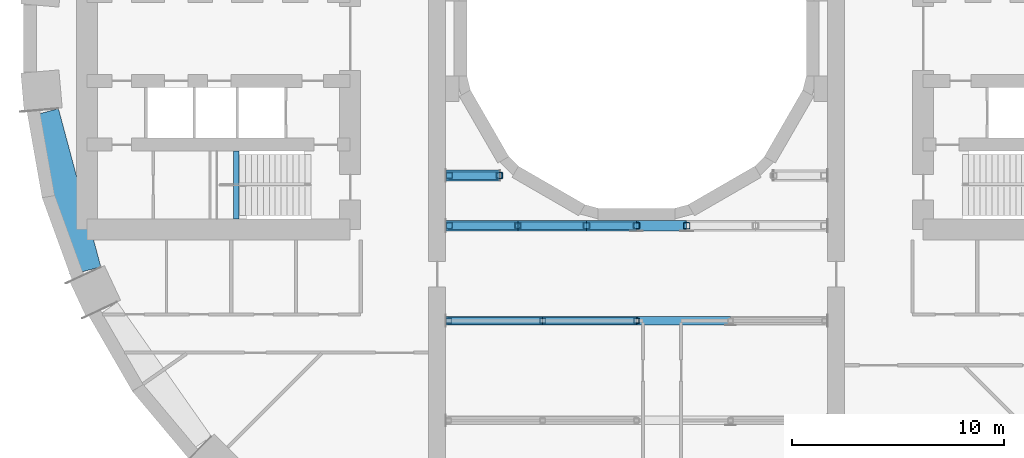
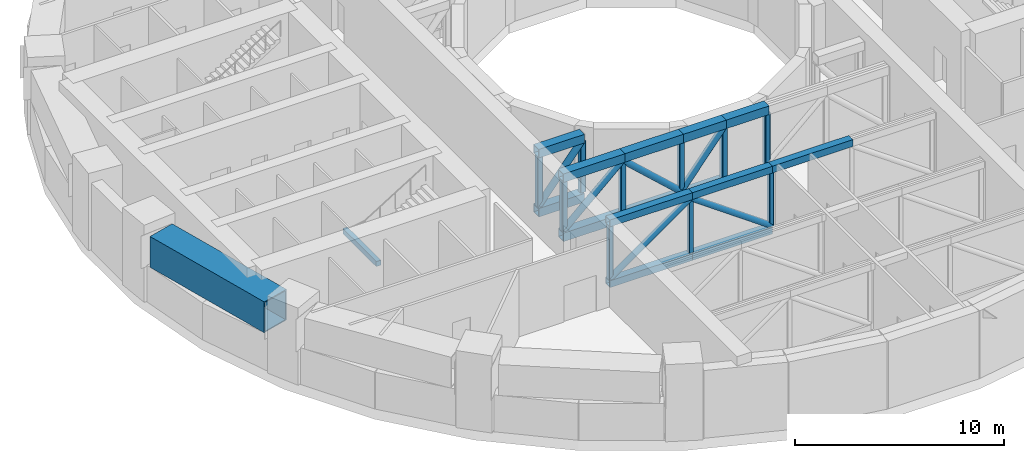
# One storey, part 3 of 21: 30 members, 2 beams.
"""IFC4 building model written with IfcOpenShell, lengths in metres."""

import ifcopenshell
import ifcopenshell.guid

model = None  # the IFC model being written
_history = None  # IfcOwnerHistory: only IFC2X3 demands one
_inside = {}  # id of a spatial element -> (the spatial element, [elements in it])
_under = {}  # id of a project, library or spatial element -> (it, [spatial elements below it])
_declared = {}  # id of a project -> (the project, [libraries it declares])
_typed = {}  # id of a type object -> (the type object, [elements of that type])
_made_of = {}  # id of a material, layer set ... -> (it, [elements and type objects made of it])


def new_model(schema):
    """Start an empty IFC model of exactly this schema.

    Asked for "IFC4X3", IfcOpenShell would pick the latest addendum, in which some entities
    have other attributes; the version numbers below select the first issue.
    IFC2X3 requires an IfcOwnerHistory on every rooted entity: one is made here for all.
    """
    global model, _history
    if schema == "IFC4X3":
        model = ifcopenshell.file(schema_version=(4, 3, 0, 0))
    else:
        model = ifcopenshell.file(schema=schema)
    _inside.clear()
    _under.clear()
    _declared.clear()
    _typed.clear()
    _made_of.clear()
    _history = None
    if model.schema == "IFC2X3":
        org = make("IfcOrganization", Name="unknown")
        user = make(
            "IfcPersonAndOrganization",
            ThePerson=make("IfcPerson", FamilyName="unknown"),
            TheOrganization=org,
        )
        app = make(
            "IfcApplication",
            ApplicationDeveloper=org,
            Version="unknown",
            ApplicationFullName="unknown",
            ApplicationIdentifier="unknown",
        )
        _history = make(
            "IfcOwnerHistory",
            OwningUser=user,
            OwningApplication=app,
            ChangeAction="ADDED",
            CreationDate=0,
        )
    return model


def make(cls, **values):
    """One entity of the class cls with the attributes given. An attribute that is None is left unset."""
    return model.create_entity(
        cls, **{name: value for name, value in values.items() if value is not None}
    )


def rooted(cls, **values):
    """An entity with a GlobalId (a new one), such as an element, a storey or a relation."""
    return make(cls, GlobalId=ifcopenshell.guid.new(), OwnerHistory=_history, **values)


def si_unit(unit_type, name, prefix=None):
    """IfcSIUnit, for example si_unit("LENGTHUNIT", "METRE", prefix="MILLI")."""
    return make("IfcSIUnit", UnitType=unit_type, Prefix=prefix, Name=name)


def assignment(units):
    """IfcUnitAssignment: the units of a project."""
    return None if units is None else make("IfcUnitAssignment", Units=units)


def point(xyz):
    """IfcCartesianPoint."""
    return None if xyz is None else make("IfcCartesianPoint", Coordinates=xyz)


def direction(xyz):
    """IfcDirection."""
    return None if xyz is None else make("IfcDirection", DirectionRatios=xyz)


def frame(location, z_axis=None, x_axis=None):
    """IfcAxis2Placement3D, a coordinate frame: its origin and axes. An axis left out is left unset."""
    return make(
        "IfcAxis2Placement3D",
        Location=point(location),
        Axis=direction(z_axis),
        RefDirection=direction(x_axis),
    )


def frame_2d(location, x_axis=None):
    """IfcAxis2Placement2D, a coordinate frame in the plane: its origin and x axis."""
    return make(
        "IfcAxis2Placement2D", Location=point(location), RefDirection=direction(x_axis)
    )


def origin():
    """The frame at (0, 0, 0) with its axes left unset."""
    return frame((0.0, 0.0, 0.0))


def origin_2d():
    """The frame at (0, 0) in the plane with its x axis left unset."""
    return frame_2d((0.0, 0.0))


def place(relative_to, where):
    """IfcLocalPlacement: puts the frame where relative to a parent placement (None: the world)."""
    return make(
        "IfcLocalPlacement", PlacementRelTo=relative_to, RelativePlacement=where
    )


def context(
    kind, dimensions, precision=None, world=None, true_north=None, identifier=None
):
    """IfcGeometricRepresentationContext, for example the 3D "Model" context."""
    return make(
        "IfcGeometricRepresentationContext",
        ContextIdentifier=identifier,
        ContextType=kind,
        CoordinateSpaceDimension=dimensions,
        Precision=precision,
        WorldCoordinateSystem=world,
        TrueNorth=true_north,
    )


def subcontext(parent, identifier, kind, view, scale=None):
    """IfcGeometricRepresentationSubContext, for example "Body" below "Model"."""
    return make(
        "IfcGeometricRepresentationSubContext",
        ContextIdentifier=identifier,
        ContextType=kind,
        ParentContext=parent,
        TargetScale=scale,
        TargetView=view,
    )


def project(units=None, contexts=None):
    """IfcProject with its units and contexts."""
    return rooted(
        "IfcProject",
        Name="project",
        RepresentationContexts=contexts,
        UnitsInContext=assignment(units),
    )


def spatial(cls, under=None, at=None, **own):
    """A site, building, storey or space (cls), placed at a placement, below another one or the project."""
    s = rooted(cls, ObjectPlacement=at, **own)
    if under is not None:
        _under.setdefault(under.id(), (under, []))[1].append(s)
    return s


def profile(cls, at=None, kind="AREA", **sizes):
    """A parametric profile (cls). Its sizes go by their IFC names, for example OverallWidth=200.0."""
    return make(cls, ProfileType=kind, Position=at, **sizes)


def rectangle(**sizes):
    """IfcRectangleProfileDef."""
    return profile("IfcRectangleProfileDef", **sizes)


def hollow_rectangle(**sizes):
    """IfcRectangleHollowProfileDef."""
    return profile("IfcRectangleHollowProfileDef", **sizes)


def hollow_circle(**sizes):
    """IfcCircleHollowProfileDef."""
    return profile("IfcCircleHollowProfileDef", **sizes)


def extrude(swept, where, along, depth):
    """IfcExtrudedAreaSolid: the profile swept, set in the frame where, extruded along a direction by depth."""
    return make(
        "IfcExtrudedAreaSolid",
        SweptArea=swept,
        Position=where,
        ExtrudedDirection=direction(along),
        Depth=depth,
    )


def shape(context_of_items, identifier, shape_type, items):
    """IfcShapeRepresentation: the items that make up one representation, for example the "Body"."""
    return make(
        "IfcShapeRepresentation",
        ContextOfItems=context_of_items,
        RepresentationIdentifier=identifier,
        RepresentationType=shape_type,
        Items=items,
    )


def material(Name=None, Category=None):
    """IfcMaterial."""
    return make("IfcMaterial", Name=Name, Category=Category)


def material_profile(
    of_material, cross_section, Name=None, Category=None, Priority=None
):
    """IfcMaterialProfile: a cross section and its material."""
    return make(
        "IfcMaterialProfile",
        Name=Name,
        Material=of_material,
        Profile=cross_section,
        Priority=Priority,
        Category=Category,
    )


def profile_set(profiles, Name=None, composite=None):
    """IfcMaterialProfileSet."""
    return make(
        "IfcMaterialProfileSet",
        Name=Name,
        MaterialProfiles=profiles,
        CompositeProfile=composite,
    )


def made_of(thing, what):
    """Note that an element or type object is made of a material, layer set ...; save() writes the relation."""
    if what is not None:
        _made_of.setdefault(what.id(), (what, []))[1].append(thing)
    return thing


def type_object(cls, material=None, **own):
    """A type object (cls), such as IfcWallType, which elements share."""
    return made_of(rooted(cls, **own), material)


def element(
    cls,
    number,
    at=None,
    inside=None,
    cuts=None,
    type_object=None,
    material=None,
    context=None,
    identifier="Body",
    shape_type=None,
    held_by="IfcProductDefinitionShape",
    body=None,
    shapes=None,
    **own,
):
    """One element of the class cls, such as IfcWall. Its Tag is "e" and its number.

    at: its placement. inside: the storey or other place that contains it. cuts: it is an
    opening in that element (IfcRelVoidsElement). A single representation is given by context,
    identifier, shape_type and body (its items); several are given by shapes. held_by: the class
    of the entity that holds the representations. save() writes the other relations.
    """
    e = rooted(cls, Tag="e%d" % number, ObjectPlacement=at, **own)
    if body is not None:
        shapes = [shape(context, identifier, shape_type, body)]
    if shapes is not None:
        e.Representation = make(held_by, Representations=shapes)
    if inside is not None:
        _inside.setdefault(inside.id(), (inside, []))[1].append(e)
    if cuts is not None:
        rooted(
            "IfcRelVoidsElement", RelatingBuildingElement=cuts, RelatedOpeningElement=e
        )
    if type_object is not None:
        _typed.setdefault(type_object.id(), (type_object, []))[1].append(e)
    return made_of(e, material)


def aggregate(whole, parts):
    """IfcRelAggregates: a whole, such as a stair, and the parts it consists of."""
    return rooted("IfcRelAggregates", RelatingObject=whole, RelatedObjects=parts)


def save(model, path):
    """Write the relations noted so far, then the file.

    IfcRelAggregates (storeys below a building ...), IfcRelContainedInSpatialStructure (elements
    in a storey), IfcRelDefinesByType, IfcRelAssociatesMaterial and IfcRelDeclares: one each for
    every whole, place, type object, material and project.
    """
    for whole, parts in _under.values():
        aggregate(whole, parts)
    for where, things in _inside.values():
        rooted(
            "IfcRelContainedInSpatialStructure",
            RelatedElements=things,
            RelatingStructure=where,
        )
    for kind, things in _typed.values():
        rooted("IfcRelDefinesByType", RelatedObjects=things, RelatingType=kind)
    for what, things in _made_of.values():
        rooted("IfcRelAssociatesMaterial", RelatedObjects=things, RelatingMaterial=what)
    for by, libraries in _declared.values():
        rooted("IfcRelDeclares", RelatingContext=by, RelatedDefinitions=libraries)
    model.write(path)


model = new_model("IFC4")

# Units and contexts
model_context = context("Model", 3, precision=1e-05, world=origin(), true_north=direction((0.0, 1.0)))
body_context = subcontext(model_context, "Body", "Model", "MODEL_VIEW")
ifc_project = project(units=[si_unit("LENGTHUNIT", "METRE"), si_unit("AREAUNIT", "SQUARE_METRE"), si_unit("VOLUMEUNIT", "CUBIC_METRE"), si_unit("PLANEANGLEUNIT", "RADIAN"), si_unit("MASSUNIT", "GRAM", prefix="KILO")], contexts=[model_context])

# Site, building, storey
site_placement = place(None, origin())
site = spatial("IfcSite", under=ifc_project, at=site_placement, CompositionType="ELEMENT")
building_placement = place(site_placement, origin())
building = spatial("IfcBuilding", under=site, at=building_placement, Name="Saqina Gate Tower", CompositionType="ELEMENT")
storey_placement = place(building_placement, frame((0.0, 0.0, 21.800048828125)))
storey = spatial("IfcBuildingStorey", under=building, at=storey_placement, Name="L05", CompositionType="ELEMENT", Elevation=21.800048828125)

# Beams
ifc_material_1 = material(Name="Concrete C40/50", Category="concrete")
ifc_material_profile_1 = material_profile(ifc_material_1, rectangle(XDim=0.25, YDim=0.300048828125, at=origin_2d()), Name="STAIR LANDING BEAM")
ifc_profile_set_1 = profile_set([ifc_material_profile_1], Name="Concrete C40/50")
beam_type_1 = type_object("IfcBeamType", Name="STAIR LANDING BEAM", PredefinedType="BEAM", material=ifc_profile_set_1)
beam_1_placement = place(storey_placement, frame((-18.860107421875, -8.5, 1.849853515625), z_axis=(0.0, 1.0, 0.0), x_axis=(-1.0, 0.0, 0.0)))
element("IfcBeam", 1, at=beam_1_placement, inside=storey, type_object=beam_type_1, Name="EXIT STAIR 4 LANDING BEAM", PredefinedType="BEAM", context=body_context, shape_type="SweptSolid", body=[
    extrude(rectangle(XDim=0.25, YDim=0.300048828125, at=origin_2d()), origin(), (0.0, 0.0, 1.0), 3.199951171875),
])
ifc_material_2 = material(Name="Steel S460", Category="steel")
ifc_material_profile_2 = material_profile(ifc_material_2, hollow_rectangle(XDim=1.5, YDim=1.800048828125, WallThickness=0.06005859375, at=origin_2d()), Name="BOX 1500x1800x60")
ifc_profile_set_2 = profile_set([ifc_material_profile_2], Name="Steel S460")
beam_type_2 = type_object("IfcBeamType", Name="STR-PODIUM TRANSFER GIRDER-BOX 1500x1800x60", PredefinedType="BEAM", material=ifc_profile_set_2)
beam_2_placement = place(storey_placement, frame((-27.9697265625, -3.499267578125, 3.050048828125), z_axis=(0.258816195874, -0.965926589733, 0.0), x_axis=(0.965926589733, 0.258816195874, 0.0)))
element("IfcBeam", 2, at=beam_2_placement, inside=storey, type_object=beam_type_2, Name="PODIUM TRANSFER GIRDER 07", PredefinedType="BEAM", context=body_context, shape_type="SweptSolid", body=[
    extrude(hollow_rectangle(XDim=1.5, YDim=1.800048828125, WallThickness=0.06005859375, at=origin_2d()), origin(), (0.0, 0.0, 1.0), 7.718017578125),
])

# Members
ifc_material_3 = material(Name="Steel S460", Category="steel")
ifc_material_profile_3 = material_profile(ifc_material_3, hollow_rectangle(XDim=0.39990234375, YDim=0.39990234375, WallThickness=0.030029296875, at=origin_2d()), Name="BOX 400x400x30")
ifc_profile_set_3 = profile_set([ifc_material_profile_3], Name="Steel S460")
member_type_1 = type_object("IfcMemberType", Name="STR-TRANSFER TRUSS CHORD-BOX 400x400x30", PredefinedType="CHORD", material=ifc_profile_set_3)
for number, where, z_axis, x_axis, name in (
    (3, (-8.98193359375, -13.300048828125, 0.199951171875), (1.0, 0.0, 0.0), (0.0, 1.0, 0.0), "TRANSFER TRUSS CHORD 100"),
    (4, (-8.98193359375, -13.300048828125, 3.75), (1.0, 0.0, 0.0), (0.0, 1.0, 0.0), "TRANSFER TRUSS CHORD 101"),
):
    element("IfcMember", number, at=place(storey_placement, frame(where, z_axis=z_axis, x_axis=x_axis)), inside=storey, type_object=member_type_1, Name=name, PredefinedType="CHORD", context=body_context, shape_type="SweptSolid", body=[
        extrude(hollow_rectangle(XDim=0.39990234375, YDim=0.39990234375, WallThickness=0.030029296875, at=origin_2d()), origin(), (0.0, 0.0, 1.0), 4.553466796875),
    ])
for number, where, z_axis, x_axis, name in (
    (5, (-4.428466796875, -13.300048828125, 0.199951171875), (1.0, 0.0, 0.0), (0.0, 1.0, 0.0), "TRANSFER TRUSS CHORD 103"),
    (6, (-4.428466796875, -13.300048828125, 3.75), (1.0, 0.0, 0.0), (0.0, 1.0, 0.0), "TRANSFER TRUSS CHORD 104"),
    (7, (0.0, -13.300048828125, 3.75), (1.0, 0.0, 0.0), (0.0, 1.0, 0.0), "TRANSFER TRUSS CHORD 106"),
):
    element("IfcMember", number, at=place(storey_placement, frame(where, z_axis=z_axis, x_axis=x_axis)), inside=storey, type_object=member_type_1, Name=name, PredefinedType="CHORD", context=body_context, shape_type="SweptSolid", body=[
        extrude(hollow_rectangle(XDim=0.39990234375, YDim=0.39990234375, WallThickness=0.030029296875, at=origin_2d()), origin(), (0.0, 0.0, 1.0), 4.428466796875),
    ])
ifc_material_4 = material(Name="Steel S460", Category="steel")
ifc_material_profile_4 = material_profile(ifc_material_4, hollow_rectangle(XDim=0.5, YDim=0.5, WallThickness=0.0400390625, at=origin_2d()), Name="BOX 500x500x40")
ifc_profile_set_4 = profile_set([ifc_material_profile_4], Name="Steel S460")
member_type_2 = type_object("IfcMemberType", Name="STR-TRANSFER TRUSS CHORD-BOX 500x500x40", PredefinedType="CHORD", material=ifc_profile_set_4)
for number, where, z_axis, x_axis, name in (
    (8, (-8.98193359375, -8.821044921875, 0.25), (1.0, 0.0, 0.0), (0.0, 1.0, 0.0), "TRANSFER TRUSS CHORD 062"),
    (9, (-8.98193359375, -8.821044921875, 3.699951171875), (1.0, 0.0, 0.0), (0.0, 1.0, 0.0), "TRANSFER TRUSS CHORD 063"),
):
    element("IfcMember", number, at=place(storey_placement, frame(where, z_axis=z_axis, x_axis=x_axis)), inside=storey, type_object=member_type_2, Name=name, PredefinedType="CHORD", context=body_context, shape_type="SweptSolid", body=[
        extrude(hollow_rectangle(XDim=0.5, YDim=0.5, WallThickness=0.0400390625, at=origin_2d()), origin(), (0.0, 0.0, 1.0), 3.384033203125),
    ])
for number, where, z_axis, x_axis, name in (
    (10, (-5.597900390625, -8.821044921875, 0.25), (1.0, 0.0, 0.0), (0.0, 1.0, 0.0), "TRANSFER TRUSS CHORD 065"),
    (11, (-5.597900390625, -8.821044921875, 3.699951171875), (1.0, 0.0, 0.0), (0.0, 1.0, 0.0), "TRANSFER TRUSS CHORD 066"),
):
    element("IfcMember", number, at=place(storey_placement, frame(where, z_axis=z_axis, x_axis=x_axis)), inside=storey, type_object=member_type_2, Name=name, PredefinedType="CHORD", context=body_context, shape_type="SweptSolid", body=[
        extrude(hollow_rectangle(XDim=0.5, YDim=0.5, WallThickness=0.0400390625, at=origin_2d()), origin(), (0.0, 0.0, 1.0), 3.234375),
    ])
for number, where, z_axis, x_axis, name in (
    (12, (-2.363525390625, -8.821044921875, 0.25), (1.0, 0.0, 0.0), (0.0, 1.0, 0.0), "TRANSFER TRUSS CHORD 068"),
    (13, (-2.363525390625, -8.821044921875, 3.699951171875), (1.0, 0.0, 0.0), (0.0, 1.0, 0.0), "TRANSFER TRUSS CHORD 069"),
    (14, (0.0, -8.821044921875, 3.699951171875), (1.0, 0.0, 0.0), (0.0, 1.0, 0.0), "TRANSFER TRUSS CHORD 071"),
):
    element("IfcMember", number, at=place(storey_placement, frame(where, z_axis=z_axis, x_axis=x_axis)), inside=storey, type_object=member_type_2, Name=name, PredefinedType="CHORD", context=body_context, shape_type="SweptSolid", body=[
        extrude(hollow_rectangle(XDim=0.5, YDim=0.5, WallThickness=0.0400390625, at=origin_2d()), origin(), (0.0, 0.0, 1.0), 2.363525390625),
    ])
for number, where, z_axis, x_axis, name in (
    (15, (-8.98193359375, -6.45751953125, 0.25), (1.0, 0.0, 0.0), (0.0, 1.0, 0.0), "TRANSFER TRUSS CHORD 185"),
    (16, (-8.98193359375, -6.45751953125, 3.699951171875), (1.0, 0.0, 0.0), (0.0, 1.0, 0.0), "TRANSFER TRUSS CHORD 186"),
):
    element("IfcMember", number, at=place(storey_placement, frame(where, z_axis=z_axis, x_axis=x_axis)), inside=storey, type_object=member_type_2, Name=name, PredefinedType="CHORD", context=body_context, shape_type="SweptSolid", body=[
        extrude(hollow_rectangle(XDim=0.5, YDim=0.5, WallThickness=0.0400390625, at=origin_2d()), origin(), (0.0, 0.0, 1.0), 2.5244140625),
    ])
ifc_material_5 = material(Name="Steel S460", Category="steel")
ifc_material_profile_5 = material_profile(ifc_material_5, hollow_circle(Radius=0.161865234375, WallThickness=0.012451171875, at=origin_2d()), Name="CHS 323.9x12.5")
ifc_profile_set_5 = profile_set([ifc_material_profile_5], Name="Steel S460")
member_type_3 = type_object("IfcMemberType", Name="STR-TRANSFER TRUSS DIAGONAL-CHS 323.9x12.5", PredefinedType="BRACE", material=ifc_profile_set_5)
for number, where, z_axis, x_axis, name in (
    (17, (-8.86669921875, -13.300048828125, 0.39306640625), (0.814886313503, 0.0, 0.579620820939), (0.0, 1.0, 0.0), "TRANSFER TRUSS DIAGONAL 102"),
    (18, (-4.438232421875, -13.300048828125, 3.556884765625), (0.814886313503, 0.0, -0.579620820939), (0.0, 1.0, 0.0), "TRANSFER TRUSS DIAGONAL 105"),
):
    element("IfcMember", number, at=place(storey_placement, frame(where, z_axis=z_axis, x_axis=x_axis)), inside=storey, type_object=member_type_3, Name=name, PredefinedType="BRACE", context=body_context, shape_type="SweptSolid", body=[
        extrude(hollow_circle(Radius=0.161865234375, WallThickness=0.012451171875, at=origin_2d()), origin(), (0.0, 0.0, 1.0), 5.45849609375),
    ])
ifc_material_6 = material(Name="Steel S460", Category="steel")
ifc_material_profile_6 = material_profile(ifc_material_6, hollow_circle(Radius=0.177734375, WallThickness=0.01611328125, at=origin_2d()), Name="CHS 355.6x16")
ifc_profile_set_6 = profile_set([ifc_material_profile_6], Name="Steel S460")
member_type_4 = type_object("IfcMemberType", Name="STR-TRANSFER TRUSS DIAGONAL-CHS 355.6x16", PredefinedType="BRACE", material=ifc_profile_set_6)
for number, where, z_axis, x_axis, name in (
    (19, (-8.8408203125, -8.821044921875, 0.491943359375), (0.738837245149, 0.0, 0.673883910759), (0.0, 1.0, 0.0), "TRANSFER TRUSS DIAGONAL 064"),
    (20, (-5.606689453125, -8.821044921875, 3.4580078125), (0.738837245149, 0.0, -0.673883910759), (0.0, 1.0, 0.0), "TRANSFER TRUSS DIAGONAL 067"),
):
    element("IfcMember", number, at=place(storey_placement, frame(where, z_axis=z_axis, x_axis=x_axis)), inside=storey, type_object=member_type_4, Name=name, PredefinedType="BRACE", context=body_context, shape_type="SweptSolid", body=[
        extrude(hollow_circle(Radius=0.177734375, WallThickness=0.01611328125, at=origin_2d()), origin(), (0.0, 0.0, 1.0), 4.4013671875),
    ])
member_1_placement = place(storey_placement, frame((-2.37109375, -8.821044921875, 0.490478515625), z_axis=(0.625281860833, 0.0, 0.780398996996), x_axis=(0.0, 1.0, 0.0)))
element("IfcMember", 21, at=member_1_placement, inside=storey, type_object=member_type_4, Name="TRANSFER TRUSS DIAGONAL 070", PredefinedType="BRACE", context=body_context, shape_type="SweptSolid", body=[
    extrude(hollow_circle(Radius=0.177734375, WallThickness=0.01611328125, at=origin_2d()), origin(), (0.0, 0.0, 1.0), 3.80419921875),
])
member_2_placement = place(storey_placement, frame((-8.839599609375, -6.45751953125, 0.49072265625), z_axis=(0.627067246919, 0.0, 0.778965126204), x_axis=(0.0, 1.0, 0.0)))
element("IfcMember", 22, at=member_2_placement, inside=storey, type_object=member_type_4, Name="TRANSFER TRUSS DIAGONAL 187", PredefinedType="BRACE", context=body_context, shape_type="SweptSolid", body=[
    extrude(hollow_circle(Radius=0.177734375, WallThickness=0.01611328125, at=origin_2d()), origin(), (0.0, 0.0, 1.0), 3.810791015625),
])
ifc_material_7 = material(Name="Steel S460", Category="steel")
ifc_material_profile_7 = material_profile(ifc_material_7, hollow_rectangle(XDim=0.25, YDim=0.25, WallThickness=0.012451171875, InnerFilletRadius=0.02490234375, OuterFilletRadius=0.03759765625, at=origin_2d()), Name="SHS 250x250x12.5")
ifc_profile_set_7 = profile_set([ifc_material_profile_7], Name="Steel S460")
member_type_5 = type_object("IfcMemberType", Name="STR-TRANSFER TRUSS POST-SHS 250x250x12.5", PredefinedType="POST", material=ifc_profile_set_7)
for number, where, z_axis, x_axis, name in (
    (23, (-8.85693359375, -13.300048828125, 0.39990234375), (0.0, 0.0, 1.0), (1.0, 0.0, 0.0), "TRANSFER TRUSS POST 110"),
    (24, (-4.428466796875, -13.300048828125, 0.39990234375), (0.0, 0.0, 1.0), (1.0, 0.0, 0.0), "TRANSFER TRUSS POST 111"),
    (25, (0.0, -13.300048828125, 0.39990234375), (0.0, 0.0, 1.0), (1.0, 0.0, 0.0), "TRANSFER TRUSS POST 112"),
):
    element("IfcMember", number, at=place(storey_placement, frame(where, z_axis=z_axis, x_axis=x_axis)), inside=storey, type_object=member_type_5, Name=name, PredefinedType="POST", context=body_context, shape_type="SweptSolid", body=[
        extrude(hollow_rectangle(XDim=0.25, YDim=0.25, WallThickness=0.012451171875, InnerFilletRadius=0.02490234375, OuterFilletRadius=0.03759765625, at=origin_2d()), origin(), (0.0, 0.0, 1.0), 3.150146484375),
    ])
ifc_material_8 = material(Name="Steel S460", Category="steel")
ifc_material_profile_8 = material_profile(ifc_material_8, hollow_rectangle(XDim=0.300048828125, YDim=0.300048828125, WallThickness=0.01611328125, InnerFilletRadius=0.031982421875, OuterFilletRadius=0.048095703125, at=origin_2d()), Name="SHS 300x300x16")
ifc_profile_set_8 = profile_set([ifc_material_profile_8], Name="Steel S460")
member_type_6 = type_object("IfcMemberType", Name="STR-TRANSFER TRUSS POST-SHS 300x300x16", PredefinedType="POST", material=ifc_profile_set_8)
for number, where, z_axis, x_axis, name in (
    (26, (-8.83203125, -8.821044921875, 0.5), (0.0, 0.0, 1.0), (1.0, 0.0, 0.0), "TRANSFER TRUSS POST 078"),
    (27, (-5.597900390625, -8.821044921875, 0.5), (0.0, 0.0, 1.0), (1.0, 0.0, 0.0), "TRANSFER TRUSS POST 079"),
    (28, (-2.363525390625, -8.821044921875, 0.5), (0.0, 0.0, 1.0), (1.0, 0.0, 0.0), "TRANSFER TRUSS POST 080"),
    (29, (0.0, -8.821044921875, 0.5), (0.0, 0.0, 1.0), (1.0, 0.0, 0.0), "TRANSFER TRUSS POST 081"),
    (30, (2.363525390625, -8.821044921875, 0.5), (0.0, 0.0, 1.0), (1.0, 0.0, 0.0), "TRANSFER TRUSS POST 082"),
    (31, (-8.83203125, -6.45751953125, 0.5), (0.0, 0.0, 1.0), (1.0, 0.0, 0.0), "TRANSFER TRUSS POST 188"),
    (32, (-6.45751953125, -6.45751953125, 0.5), (0.0, 0.0, 1.0), (1.0, 0.0, 0.0), "TRANSFER TRUSS POST 189"),
):
    element("IfcMember", number, at=place(storey_placement, frame(where, z_axis=z_axis, x_axis=x_axis)), inside=storey, type_object=member_type_6, Name=name, PredefinedType="POST", context=body_context, shape_type="SweptSolid", body=[
        extrude(hollow_rectangle(XDim=0.300048828125, YDim=0.300048828125, WallThickness=0.01611328125, InnerFilletRadius=0.031982421875, OuterFilletRadius=0.048095703125, at=origin_2d()), origin(), (0.0, 0.0, 1.0), 2.949951171875),
    ])

save(model, "model.ifc")
